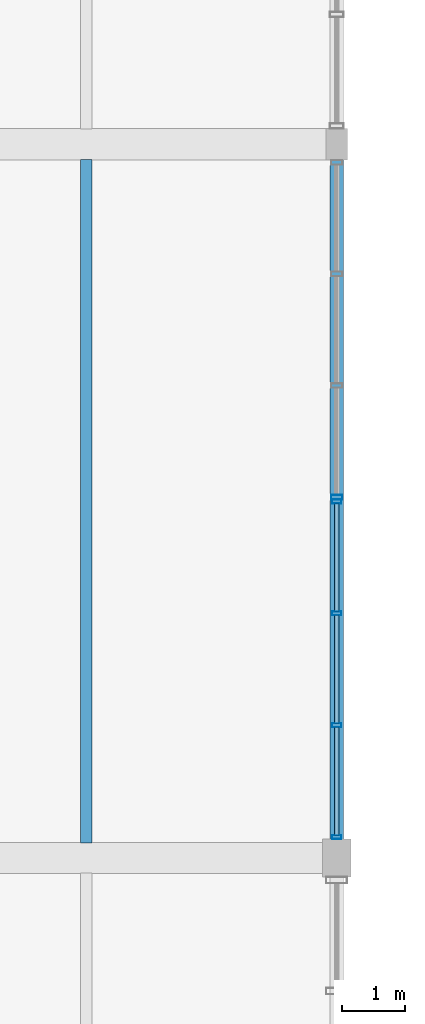
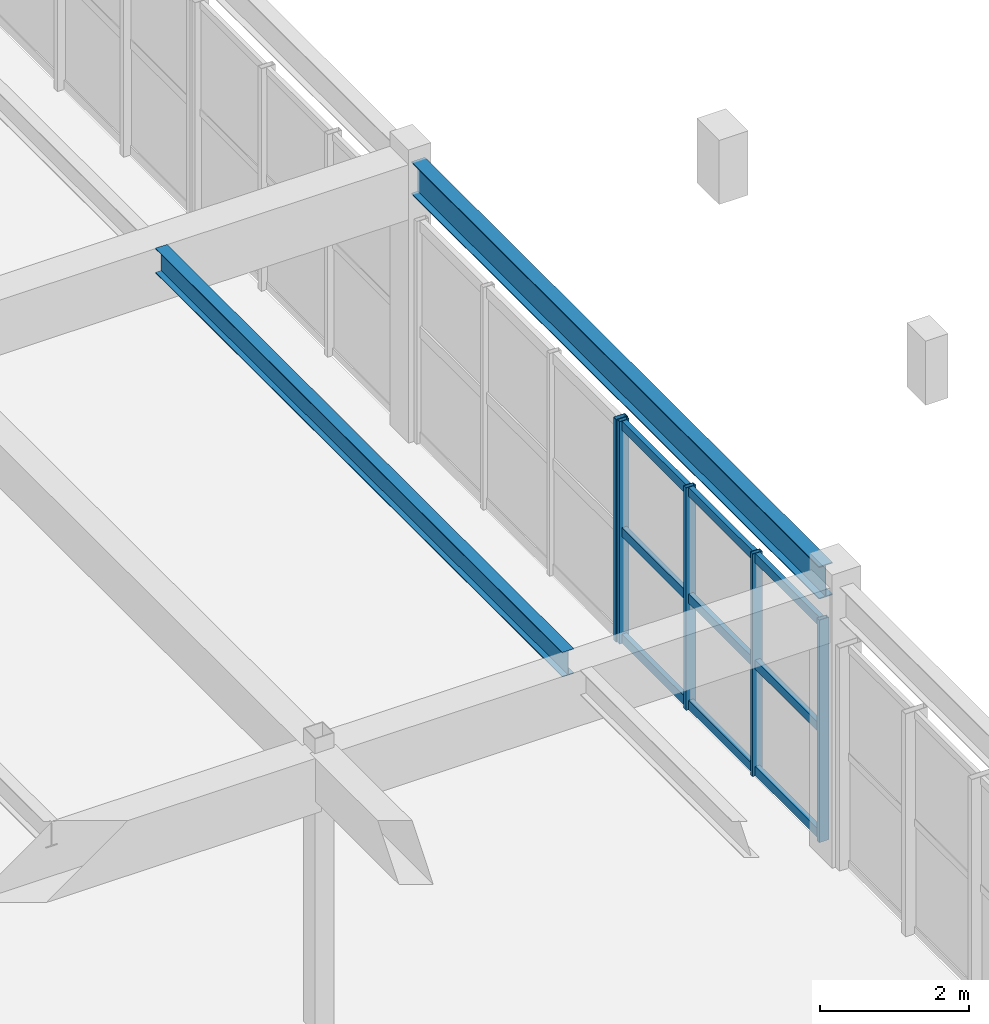
# One storey, part 27 of 106: 14 members, 2 beams, 2 elements without a shape of their own.
"""IFC4 building model written with IfcOpenShell, lengths in metres."""

from ifc_helpers import new_model, si_unit, direction, frame, origin, origin_2d, place, context, subcontext, project, spatial, hollow_rectangle, i_section, extrude, material, layer, layer_set, material_profile, profile_set, type_object, element, aggregate, save


model = new_model("IFC4")

# Units and contexts
model_context = context("Model", 3, precision=1e-05, world=origin(), true_north=direction((0.0, 1.0)))
body_context = subcontext(model_context, "Body", "Model", "MODEL_VIEW")
ifc_project = project(units=[si_unit("LENGTHUNIT", "METRE"), si_unit("AREAUNIT", "SQUARE_METRE"), si_unit("VOLUMEUNIT", "CUBIC_METRE"), si_unit("PLANEANGLEUNIT", "RADIAN"), si_unit("MASSUNIT", "GRAM", prefix="KILO"), si_unit("POWERUNIT", "WATT"), si_unit("THERMODYNAMICTEMPERATUREUNIT", "KELVIN")], contexts=[model_context])

# Site, building, storey
site_placement = place(None, origin())
site = spatial("IfcSite", under=ifc_project, at=site_placement, CompositionType="ELEMENT")
building_placement = place(site_placement, origin())
building = spatial("IfcBuilding", under=site, at=building_placement, Name="Kelmbourne Parkland Aquatics Centre", CompositionType="ELEMENT")
storey_placement = place(building_placement, frame((0.0, 0.0, 5.39990234375)))
storey = spatial("IfcBuildingStorey", under=building, at=storey_placement, Name="L01", CompositionType="ELEMENT", Elevation=5.39990234375)

# Beams
ifc_material_1 = material(Name="Structural steel AS/NZS 3679.1 Grade 300", Category="steel")
ifc_material_profile_1 = material_profile(ifc_material_1, i_section(OverallWidth=0.177978515625, OverallDepth=0.406005859375, WebThickness=0.0078125, FlangeThickness=0.0126953125, at=origin_2d()), Name="410UB59.7")
ifc_profile_set_1 = profile_set([ifc_material_profile_1], Name="Structural steel AS/NZS 3679.1 Grade 300")
beam_type_1 = type_object("IfcBeamType", Name="BM-J01", PredefinedType="JOIST", material=ifc_profile_set_1)
beam_1_placement = place(storey_placement, frame((36.0, 58.0419921875, 4.357177734375), z_axis=(0.0, 1.0, 0.0), x_axis=(-1.0, 0.0, 0.0)))
element("IfcBeam", 1, at=beam_1_placement, inside=storey, type_object=beam_type_1, Name="Secondary floor joist E-F/08-10 #1 (L02)", PredefinedType="JOIST", context=body_context, shape_type="SweptSolid", body=[
    extrude(i_section(OverallWidth=0.177978515625, OverallDepth=0.406005859375, WebThickness=0.0078125, FlangeThickness=0.0126953125, at=origin_2d()), origin(), (0.0, 0.0, 1.0), 10.916015625),
])
ifc_material_profile_2 = material_profile(ifc_material_1, i_section(OverallWidth=0.208984375, OverallDepth=0.532958984375, WebThickness=0.01025390625, FlangeThickness=0.015625, at=origin_2d()), Name="530UB92.4")
ifc_profile_set_2 = profile_set([ifc_material_profile_2], Name="Structural steel AS/NZS 3679.1 Grade 300")
beam_type_2 = type_object("IfcBeamType", Name="BM-SP02", PredefinedType="SPANDREL", material=ifc_profile_set_2)
beam_2_placement = place(storey_placement, frame((40.0, 58.054931640625, 4.293701171875), z_axis=(0.0, 1.0, 0.0), x_axis=(-1.0, 0.0, 0.0)))
element("IfcBeam", 2, at=beam_2_placement, inside=storey, type_object=beam_type_2, Name="Perimeter spandrel 08-10 Grid F (L02)", PredefinedType="SPANDREL", context=body_context, shape_type="SweptSolid", body=[
    extrude(i_section(OverallWidth=0.208984375, OverallDepth=0.532958984375, WebThickness=0.01025390625, FlangeThickness=0.015625, at=origin_2d()), origin(), (0.0, 0.0, 1.0), 10.940185546875),
])

# Curtain wall, members
ifc_material_2 = material(Name="Thermally broken anodised aluminium framing", Category="aluminium")
ifc_layer_1 = layer(ifc_material_2, 0.179931640625)
ifc_layer_set_1 = layer_set([ifc_layer_1], Name="Thermally broken anodised aluminium framing")
curtain_wall_type_1 = type_object("IfcCurtainWallType", Name="CW-19", PredefinedType="NOTDEFINED", material=ifc_layer_set_1)
curtain_wall_1_placement = place(storey_placement, origin())
curtain_wall_1 = element("IfcCurtainWall", 3, at=curtain_wall_1_placement, inside=storey, type_object=curtain_wall_type_1, Name="Facade curtain wall CW-L01-235", PredefinedType="NOTDEFINED")
ifc_material_profile_3 = material_profile(ifc_material_2, hollow_rectangle(XDim=0.06494140625, YDim=0.14990234375, WallThickness=0.00390625, at=origin_2d()), Name="CW-M 65x150")
ifc_profile_set_3 = profile_set([ifc_material_profile_3], Name="Thermally broken anodised aluminium framing")
member_type_1 = type_object("IfcMemberType", Name="MB-MUL-1", PredefinedType="MULLION", material=ifc_profile_set_3)
member_1_placement = place(storey_placement, frame((40.0, 58.134521484375, 0.0), z_axis=(0.0, 0.0, 1.0), x_axis=(0.0, 1.0, 0.0)))
member_1 = element("IfcMember", 4, at=member_1_placement, type_object=member_type_1, Name="CW-L01-235 mullion 0", PredefinedType="MULLION", context=body_context, shape_type="SweptSolid", body=[
    extrude(hollow_rectangle(XDim=0.06494140625, YDim=0.14990234375, WallThickness=0.00390625, at=origin_2d()), origin(), (0.0, 0.0, 1.0), 3.64501953125),
])
member_2_placement = place(storey_placement, frame((40.0, 59.92041015625, 0.0), z_axis=(0.0, 0.0, 1.0), x_axis=(0.0, 1.0, 0.0)))
member_2 = element("IfcMember", 5, at=member_2_placement, type_object=member_type_1, Name="CW-L01-235 mullion 1", PredefinedType="MULLION", context=body_context, shape_type="SweptSolid", body=[
    extrude(hollow_rectangle(XDim=0.06494140625, YDim=0.14990234375, WallThickness=0.00390625, at=origin_2d()), origin(), (0.0, 0.0, 1.0), 3.64501953125),
])
member_3_placement = place(storey_placement, frame((40.0, 61.70654296875, 0.0), z_axis=(0.0, 0.0, 1.0), x_axis=(0.0, 1.0, 0.0)))
member_3 = element("IfcMember", 6, at=member_3_placement, type_object=member_type_1, Name="CW-L01-235 mullion 2", PredefinedType="MULLION", context=body_context, shape_type="SweptSolid", body=[
    extrude(hollow_rectangle(XDim=0.06494140625, YDim=0.14990234375, WallThickness=0.00390625, at=origin_2d()), origin(), (0.0, 0.0, 1.0), 3.64501953125),
])
member_4_placement = place(storey_placement, frame((40.0, 63.492431640625, 0.0), z_axis=(0.0, 0.0, 1.0), x_axis=(0.0, 1.0, 0.0)))
member_4 = element("IfcMember", 7, at=member_4_placement, type_object=member_type_1, Name="CW-L01-235 mullion 3", PredefinedType="MULLION", context=body_context, shape_type="SweptSolid", body=[
    extrude(hollow_rectangle(XDim=0.06494140625, YDim=0.14990234375, WallThickness=0.00390625, at=origin_2d()), origin(), (0.0, 0.0, 1.0), 3.64501953125),
])

# Curtain wall, member
ifc_layer_2 = layer(ifc_material_2, 0.179931640625)
ifc_layer_set_2 = layer_set([ifc_layer_2], Name="Thermally broken anodised aluminium framing")
curtain_wall_type_2 = type_object("IfcCurtainWallType", Name="CW-20", PredefinedType="NOTDEFINED", material=ifc_layer_set_2)
curtain_wall_2_placement = place(storey_placement, origin())
curtain_wall_2 = element("IfcCurtainWall", 8, at=curtain_wall_2_placement, inside=storey, type_object=curtain_wall_type_2, Name="Facade curtain wall CW-L01-236", PredefinedType="NOTDEFINED")
ifc_material_profile_4 = material_profile(ifc_material_2, hollow_rectangle(XDim=0.074951171875, YDim=0.179931640625, WallThickness=0.00439453125, at=origin_2d()), Name="CW-M 75x180")
ifc_profile_set_4 = profile_set([ifc_material_profile_4], Name="Thermally broken anodised aluminium framing")
member_type_2 = type_object("IfcMemberType", Name="MB-MUL-2", PredefinedType="MULLION", material=ifc_profile_set_4)
member_5_placement = place(storey_placement, frame((40.0, 63.5625, 0.0), z_axis=(0.0, 0.0, 1.0), x_axis=(0.0, 1.0, 0.0)))
member_5 = element("IfcMember", 9, at=member_5_placement, type_object=member_type_2, Name="CW-L01-236 mullion 0", PredefinedType="MULLION", context=body_context, shape_type="SweptSolid", body=[
    extrude(hollow_rectangle(XDim=0.074951171875, YDim=0.179931640625, WallThickness=0.00439453125, at=origin_2d()), origin(), (0.0, 0.0, 1.0), 3.64501953125),
])
aggregate(curtain_wall_2, [member_5])

# Member
ifc_material_profile_5 = material_profile(ifc_material_2, hollow_rectangle(XDim=0.074951171875, YDim=0.14990234375, WallThickness=0.00390625, at=origin_2d()), Name="CW-T 75x150")
ifc_profile_set_5 = profile_set([ifc_material_profile_5], Name="Thermally broken anodised aluminium framing")
member_type_3 = type_object("IfcMemberType", Name="MB-TRN-2", PredefinedType="USERDEFINED", material=ifc_profile_set_5)
member_6_placement = place(storey_placement, frame((40.0, 58.1630859375, 0.078125), z_axis=(0.0, 1.0, 0.0), x_axis=(-1.0, 0.0, 0.0)))
member_6 = element("IfcMember", 10, at=member_6_placement, type_object=member_type_3, Name="CW-L01-235 transom 0-0", ObjectType="TRANSOM", PredefinedType="USERDEFINED", context=body_context, shape_type="SweptSolid", body=[
    extrude(hollow_rectangle(XDim=0.074951171875, YDim=0.14990234375, WallThickness=0.00390625, at=origin_2d()), origin(), (0.0, 0.0, 1.0), 1.72900390625),
])

member_7_placement = place(storey_placement, frame((40.0, 59.948974609375, 0.078125), z_axis=(0.0, 1.0, 0.0), x_axis=(-1.0, 0.0, 0.0)))
member_7 = element("IfcMember", 11, at=member_7_placement, type_object=member_type_3, Name="CW-L01-235 transom 0-1", ObjectType="TRANSOM", PredefinedType="USERDEFINED", context=body_context, shape_type="SweptSolid", body=[
    extrude(hollow_rectangle(XDim=0.074951171875, YDim=0.14990234375, WallThickness=0.00390625, at=origin_2d()), origin(), (0.0, 0.0, 1.0), 1.72900390625),
])

member_8_placement = place(storey_placement, frame((40.0, 61.735107421875, 0.078125), z_axis=(0.0, 1.0, 0.0), x_axis=(-1.0, 0.0, 0.0)))
member_8 = element("IfcMember", 12, at=member_8_placement, type_object=member_type_3, Name="CW-L01-235 transom 0-2", ObjectType="TRANSOM", PredefinedType="USERDEFINED", context=body_context, shape_type="SweptSolid", body=[
    extrude(hollow_rectangle(XDim=0.074951171875, YDim=0.14990234375, WallThickness=0.00390625, at=origin_2d()), origin(), (0.0, 0.0, 1.0), 1.72900390625),
])

member_9_placement = place(storey_placement, frame((40.0, 58.1630859375, 1.822509765625), z_axis=(0.0, 1.0, 0.0), x_axis=(-1.0, 0.0, 0.0)))
member_9 = element("IfcMember", 13, at=member_9_placement, type_object=member_type_3, Name="CW-L01-235 transom 1-0", ObjectType="TRANSOM", PredefinedType="USERDEFINED", context=body_context, shape_type="SweptSolid", body=[
    extrude(hollow_rectangle(XDim=0.074951171875, YDim=0.14990234375, WallThickness=0.00390625, at=origin_2d()), origin(), (0.0, 0.0, 1.0), 1.72900390625),
])

member_10_placement = place(storey_placement, frame((40.0, 59.948974609375, 1.822509765625), z_axis=(0.0, 1.0, 0.0), x_axis=(-1.0, 0.0, 0.0)))
member_10 = element("IfcMember", 14, at=member_10_placement, type_object=member_type_3, Name="CW-L01-235 transom 1-1", ObjectType="TRANSOM", PredefinedType="USERDEFINED", context=body_context, shape_type="SweptSolid", body=[
    extrude(hollow_rectangle(XDim=0.074951171875, YDim=0.14990234375, WallThickness=0.00390625, at=origin_2d()), origin(), (0.0, 0.0, 1.0), 1.72900390625),
])

member_11_placement = place(storey_placement, frame((40.0, 61.735107421875, 1.822509765625), z_axis=(0.0, 1.0, 0.0), x_axis=(-1.0, 0.0, 0.0)))
member_11 = element("IfcMember", 15, at=member_11_placement, type_object=member_type_3, Name="CW-L01-235 transom 1-2", ObjectType="TRANSOM", PredefinedType="USERDEFINED", context=body_context, shape_type="SweptSolid", body=[
    extrude(hollow_rectangle(XDim=0.074951171875, YDim=0.14990234375, WallThickness=0.00390625, at=origin_2d()), origin(), (0.0, 0.0, 1.0), 1.72900390625),
])

member_12_placement = place(storey_placement, frame((40.0, 58.1630859375, 3.567138671875), z_axis=(0.0, 1.0, 0.0), x_axis=(-1.0, 0.0, 0.0)))
member_12 = element("IfcMember", 16, at=member_12_placement, type_object=member_type_3, Name="CW-L01-235 transom 2-0", ObjectType="TRANSOM", PredefinedType="USERDEFINED", context=body_context, shape_type="SweptSolid", body=[
    extrude(hollow_rectangle(XDim=0.074951171875, YDim=0.14990234375, WallThickness=0.00390625, at=origin_2d()), origin(), (0.0, 0.0, 1.0), 1.72900390625),
])

member_13_placement = place(storey_placement, frame((40.0, 59.948974609375, 3.567138671875), z_axis=(0.0, 1.0, 0.0), x_axis=(-1.0, 0.0, 0.0)))
member_13 = element("IfcMember", 17, at=member_13_placement, type_object=member_type_3, Name="CW-L01-235 transom 2-1", ObjectType="TRANSOM", PredefinedType="USERDEFINED", context=body_context, shape_type="SweptSolid", body=[
    extrude(hollow_rectangle(XDim=0.074951171875, YDim=0.14990234375, WallThickness=0.00390625, at=origin_2d()), origin(), (0.0, 0.0, 1.0), 1.72900390625),
])

member_14_placement = place(storey_placement, frame((40.0, 61.735107421875, 3.567138671875), z_axis=(0.0, 1.0, 0.0), x_axis=(-1.0, 0.0, 0.0)))
member_14 = element("IfcMember", 18, at=member_14_placement, type_object=member_type_3, Name="CW-L01-235 transom 2-2", ObjectType="TRANSOM", PredefinedType="USERDEFINED", context=body_context, shape_type="SweptSolid", body=[
    extrude(hollow_rectangle(XDim=0.074951171875, YDim=0.14990234375, WallThickness=0.00390625, at=origin_2d()), origin(), (0.0, 0.0, 1.0), 1.72900390625),
])

aggregate(curtain_wall_1, [member_1, member_2, member_3, member_4, member_6, member_7, member_8, member_9, member_10, member_11, member_12, member_13, member_14])

save(model, "model.ifc")
